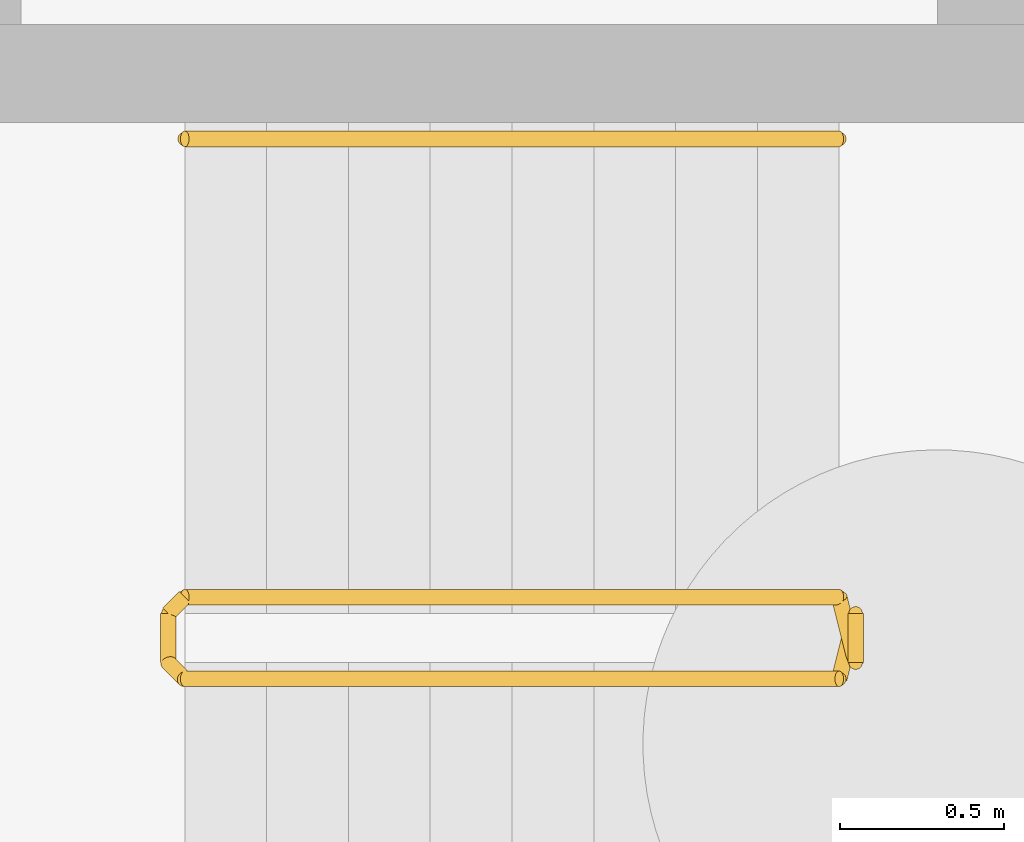
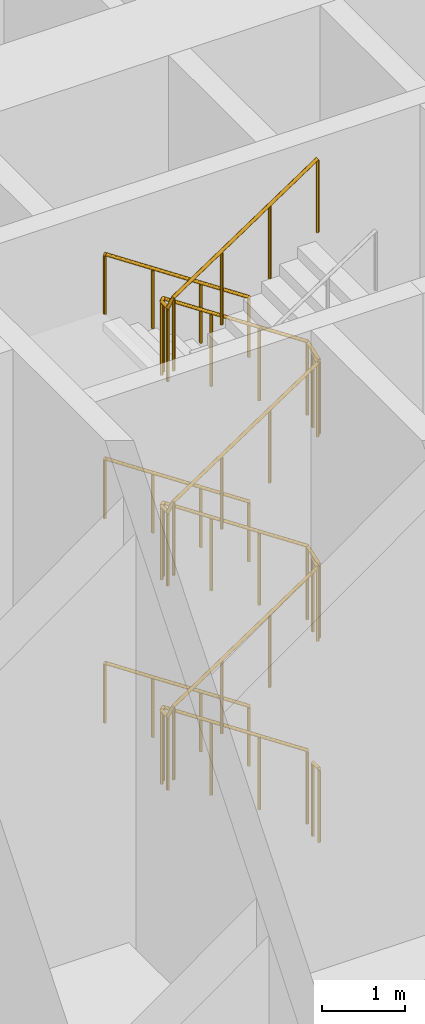
# One storey, part 19 of 20: 5 railings.
"""IFC4 building model written with IfcOpenShell, lengths in metres."""

from ifc_helpers import new_model, si_unit, direction, frame, origin, origin_2d, place, context, subcontext, project, spatial, circle, extrude, material, type_object, element, save


model = new_model("IFC4")

# Units and contexts
model_context = context("Model", 3, precision=1e-05, world=origin(), true_north=direction((0.0, 1.0)))
body_context = subcontext(model_context, "Body", "Model", "MODEL_VIEW")
ifc_project = project(units=[si_unit("LENGTHUNIT", "METRE"), si_unit("AREAUNIT", "SQUARE_METRE"), si_unit("VOLUMEUNIT", "CUBIC_METRE"), si_unit("PLANEANGLEUNIT", "RADIAN"), si_unit("MASSUNIT", "GRAM", prefix="KILO")], contexts=[model_context])

# Site, building, storey
site_placement = place(None, origin())
site = spatial("IfcSite", under=ifc_project, at=site_placement, CompositionType="ELEMENT")
building_placement = place(site_placement, origin())
building = spatial("IfcBuilding", under=site, at=building_placement, Name="Tracery Tower", CompositionType="ELEMENT")
storey_placement = place(building_placement, origin())
storey = spatial("IfcBuildingStorey", under=building, at=storey_placement, Name="L00", CompositionType="ELEMENT", Elevation=0.0)

# Railings
ifc_material_1 = material(Name="Stainless steel and laminated glass", Category="steel")
railing_type_1 = type_object("IfcRailingType", Name="Stair guard 1100", PredefinedType="GUARDRAIL", material=ifc_material_1)
railing_1_placement = place(storey_placement, frame((-4.800048828125, 4.949951171875, 0.166748046875)))
element("IfcRailing", 1, at=railing_1_placement, inside=storey, type_object=railing_type_1, Name="L00 stair ST3 guard 1", PredefinedType="GUARDRAIL", context=body_context, shape_type="SweptSolid", body=[
    extrude(circle(Radius=0.02392578125, at=origin_2d()), frame((0.0, 0.0, 1.076171875), z_axis=(-0.832065920246, 0.0, 0.554676756648), x_axis=(0.0, -1.0, 0.0)), (0.0, 0.0, 1.0), 2.403564453125),
    extrude(circle(Radius=0.02392578125, at=origin_2d()), frame((-2.0, 0.0, 2.4091796875), z_axis=(-0.707106781187, -0.707106781187, 0.0), x_axis=(0.707106781187, -0.707106781187, 0.0)), (0.0, 0.0, 1.0), 0.07080078125),
    extrude(circle(Radius=0.02392578125, at=origin_2d()), frame((-2.050048828125, -0.050048828125, 2.4091796875), z_axis=(0.0, -1.0, 0.0), x_axis=(1.0, 0.0, 0.0)), (0.0, 0.0, 1.0), 0.14990234375),
    extrude(circle(Radius=0.02392578125, at=origin_2d()), frame((-2.050048828125, -0.199951171875, 2.4091796875), z_axis=(0.27628659633, -0.27628659633, 0.920506074601), x_axis=(0.707106781187, 0.707106781187, 0.0)), (0.0, 0.0, 1.0), 0.18115234375),
    extrude(circle(Radius=0.02392578125, at=origin_2d()), frame((-2.0, -0.25, 2.576171875), z_axis=(0.832065920246, 0.0, 0.554676756648), x_axis=(0.0, 1.0, 0.0)), (0.0, 0.0, 1.0), 2.403564453125),
    extrude(circle(Radius=0.02392578125, at=origin_2d()), frame((0.0, -0.25, 3.9091796875), z_axis=(0.242814311512, 0.970072785993, 0.0), x_axis=(-0.970072785993, 0.242814311512, 0.0)), (0.0, 0.0, 1.0), 0.2060546875),
    extrude(circle(Radius=0.02392578125, at=origin_2d()), frame((0.050048828125, -0.050048828125, 3.9091796875), z_axis=(0.0, -1.0, 0.0), x_axis=(1.0, 0.0, 0.0)), (0.0, 0.0, 1.0), 0.14990234375),
    extrude(circle(Radius=0.02392578125, at=origin_2d()), frame((0.050048828125, -0.199951171875, 3.9091796875), z_axis=(-0.188775798145, 0.754182335027, 0.628945707965), x_axis=(-0.970072785993, -0.242814311512, 0.0)), (0.0, 0.0, 1.0), 0.26513671875),
    extrude(circle(Radius=0.02392578125, at=origin_2d()), frame((0.0, 0.0, 4.076171875), z_axis=(-0.832065920246, 0.0, 0.554676756648), x_axis=(0.0, -1.0, 0.0)), (0.0, 0.0, 1.0), 2.403564453125),
    extrude(circle(Radius=0.02392578125, at=origin_2d()), frame((-2.0, 0.0, 5.4091796875), z_axis=(-0.707106781187, -0.707106781187, 0.0), x_axis=(0.707106781187, -0.707106781187, 0.0)), (0.0, 0.0, 1.0), 0.07080078125),
    extrude(circle(Radius=0.02392578125, at=origin_2d()), frame((-2.050048828125, -0.050048828125, 5.4091796875), z_axis=(0.0, -1.0, 0.0), x_axis=(1.0, 0.0, 0.0)), (0.0, 0.0, 1.0), 0.14990234375),
    extrude(circle(Radius=0.02392578125, at=origin_2d()), frame((-2.050048828125, -0.199951171875, 5.4091796875), z_axis=(0.27628659633, -0.27628659633, 0.920506074601), x_axis=(0.707106781187, 0.707106781187, 0.0)), (0.0, 0.0, 1.0), 0.18115234375),
    extrude(circle(Radius=0.02392578125, at=origin_2d()), frame((-2.0, -0.25, 5.576171875), z_axis=(0.832065920246, 0.0, 0.554676756648), x_axis=(0.0, 1.0, 0.0)), (0.0, 0.0, 1.0), 2.403564453125),
    extrude(circle(Radius=0.02392578125, at=origin_2d()), frame((0.0, -0.25, 6.9091796875), z_axis=(0.242814311512, 0.970072785993, 0.0), x_axis=(-0.970072785993, 0.242814311512, 0.0)), (0.0, 0.0, 1.0), 0.2060546875),
    extrude(circle(Radius=0.02392578125, at=origin_2d()), frame((0.050048828125, -0.050048828125, 6.9091796875), z_axis=(0.0, -1.0, 0.0), x_axis=(1.0, 0.0, 0.0)), (0.0, 0.0, 1.0), 0.14990234375),
    extrude(circle(Radius=0.02392578125, at=origin_2d()), frame((0.050048828125, -0.199951171875, 6.9091796875), z_axis=(-0.188775798145, 0.754182335027, 0.628945707965), x_axis=(-0.970072785993, -0.242814311512, 0.0)), (0.0, 0.0, 1.0), 0.26513671875),
    extrude(circle(Radius=0.02392578125, at=origin_2d()), frame((0.0, 0.0, 7.076171875), z_axis=(-0.832065920246, 0.0, 0.554676756648), x_axis=(0.0, -1.0, 0.0)), (0.0, 0.0, 1.0), 2.403564453125),
    extrude(circle(Radius=0.02392578125, at=origin_2d()), frame((-2.0, 0.0, 8.4091796875), z_axis=(-0.707106781187, -0.707106781187, 0.0), x_axis=(0.707106781187, -0.707106781187, 0.0)), (0.0, 0.0, 1.0), 0.07080078125),
    extrude(circle(Radius=0.02392578125, at=origin_2d()), frame((-2.050048828125, -0.050048828125, 8.4091796875), z_axis=(0.0, -1.0, 0.0), x_axis=(1.0, 0.0, 0.0)), (0.0, 0.0, 1.0), 0.14990234375),
    extrude(circle(Radius=0.02392578125, at=origin_2d()), frame((-2.050048828125, -0.199951171875, 8.4091796875), z_axis=(0.27628659633, -0.27628659633, 0.920506074601), x_axis=(0.707106781187, 0.707106781187, 0.0)), (0.0, 0.0, 1.0), 0.18115234375),
    extrude(circle(Radius=0.02392578125, at=origin_2d()), frame((-2.0, -0.25, 8.576171875), z_axis=(0.832065920246, 0.0, 0.554676756648), x_axis=(0.0, 1.0, 0.0)), (0.0, 0.0, 1.0), 2.403564453125),
    extrude(circle(Radius=0.02099609375, at=origin_2d()), origin(), (0.0, 0.0, 1.0), 1.052001953125),
    extrude(circle(Radius=0.02099609375, at=origin_2d()), frame((-0.666748046875, 0.0, 0.4443359375)), (0.0, 0.0, 1.0), 1.052001953125),
    extrude(circle(Radius=0.02099609375, at=origin_2d()), frame((-1.333251953125, 0.0, 0.888916015625)), (0.0, 0.0, 1.0), 1.052001953125),
    extrude(circle(Radius=0.02099609375, at=origin_2d()), frame((-2.0, 0.0, 1.333251953125)), (0.0, 0.0, 1.0), 1.052001953125),
    extrude(circle(Radius=0.02099609375, at=origin_2d()), frame((-2.050048828125, -0.050048828125, 1.333251953125)), (0.0, 0.0, 1.0), 1.052001953125),
    extrude(circle(Radius=0.02099609375, at=origin_2d()), frame((-2.050048828125, -0.199951171875, 1.333251953125)), (0.0, 0.0, 1.0), 1.052001953125),
    extrude(circle(Radius=0.02099609375, at=origin_2d()), frame((-2.0, -0.25, 1.5)), (0.0, 0.0, 1.0), 1.052001953125),
    extrude(circle(Radius=0.02099609375, at=origin_2d()), frame((-1.333251953125, -0.25, 1.9443359375)), (0.0, 0.0, 1.0), 1.052001953125),
    extrude(circle(Radius=0.02099609375, at=origin_2d()), frame((-0.666748046875, -0.25, 2.388916015625)), (0.0, 0.0, 1.0), 1.052001953125),
    extrude(circle(Radius=0.02099609375, at=origin_2d()), frame((0.0, -0.25, 2.833251953125)), (0.0, 0.0, 1.0), 1.052001953125),
    extrude(circle(Radius=0.02099609375, at=origin_2d()), frame((0.050048828125, -0.050048828125, 2.833251953125)), (0.0, 0.0, 1.0), 1.052001953125),
    extrude(circle(Radius=0.02099609375, at=origin_2d()), frame((0.050048828125, -0.199951171875, 2.833251953125)), (0.0, 0.0, 1.0), 1.052001953125),
    extrude(circle(Radius=0.02099609375, at=origin_2d()), frame((0.0, 0.0, 3.0)), (0.0, 0.0, 1.0), 1.052001953125),
    extrude(circle(Radius=0.02099609375, at=origin_2d()), frame((-0.666748046875, 0.0, 3.4443359375)), (0.0, 0.0, 1.0), 1.052001953125),
    extrude(circle(Radius=0.02099609375, at=origin_2d()), frame((-1.333251953125, 0.0, 3.888916015625)), (0.0, 0.0, 1.0), 1.052001953125),
    extrude(circle(Radius=0.02099609375, at=origin_2d()), frame((-2.0, 0.0, 4.333251953125)), (0.0, 0.0, 1.0), 1.052001953125),
    extrude(circle(Radius=0.02099609375, at=origin_2d()), frame((-2.050048828125, -0.050048828125, 4.333251953125)), (0.0, 0.0, 1.0), 1.052001953125),
    extrude(circle(Radius=0.02099609375, at=origin_2d()), frame((-2.050048828125, -0.199951171875, 4.333251953125)), (0.0, 0.0, 1.0), 1.052001953125),
    extrude(circle(Radius=0.02099609375, at=origin_2d()), frame((-2.0, -0.25, 4.5)), (0.0, 0.0, 1.0), 1.052001953125),
    extrude(circle(Radius=0.02099609375, at=origin_2d()), frame((-1.333251953125, -0.25, 4.9443359375)), (0.0, 0.0, 1.0), 1.052001953125),
    extrude(circle(Radius=0.02099609375, at=origin_2d()), frame((-0.666748046875, -0.25, 5.388916015625)), (0.0, 0.0, 1.0), 1.052001953125),
    extrude(circle(Radius=0.02099609375, at=origin_2d()), frame((0.0, -0.25, 5.833251953125)), (0.0, 0.0, 1.0), 1.052001953125),
    extrude(circle(Radius=0.02099609375, at=origin_2d()), frame((0.050048828125, -0.050048828125, 5.833251953125)), (0.0, 0.0, 1.0), 1.052001953125),
    extrude(circle(Radius=0.02099609375, at=origin_2d()), frame((0.050048828125, -0.199951171875, 5.833251953125)), (0.0, 0.0, 1.0), 1.052001953125),
    extrude(circle(Radius=0.02099609375, at=origin_2d()), frame((0.0, 0.0, 6.0)), (0.0, 0.0, 1.0), 1.052001953125),
    extrude(circle(Radius=0.02099609375, at=origin_2d()), frame((-0.666748046875, 0.0, 6.4443359375)), (0.0, 0.0, 1.0), 1.052001953125),
    extrude(circle(Radius=0.02099609375, at=origin_2d()), frame((-1.333251953125, 0.0, 6.888916015625)), (0.0, 0.0, 1.0), 1.052001953125),
    extrude(circle(Radius=0.02099609375, at=origin_2d()), frame((-2.0, 0.0, 7.333251953125)), (0.0, 0.0, 1.0), 1.052001953125),
    extrude(circle(Radius=0.02099609375, at=origin_2d()), frame((-2.050048828125, -0.050048828125, 7.333251953125)), (0.0, 0.0, 1.0), 1.052001953125),
    extrude(circle(Radius=0.02099609375, at=origin_2d()), frame((-2.050048828125, -0.199951171875, 7.333251953125)), (0.0, 0.0, 1.0), 1.052001953125),
    extrude(circle(Radius=0.02099609375, at=origin_2d()), frame((-2.0, -0.25, 7.5)), (0.0, 0.0, 1.0), 1.052001953125),
    extrude(circle(Radius=0.02099609375, at=origin_2d()), frame((-1.333251953125, -0.25, 7.9443359375)), (0.0, 0.0, 1.0), 1.052001953125),
    extrude(circle(Radius=0.02099609375, at=origin_2d()), frame((-0.666748046875, -0.25, 8.388916015625)), (0.0, 0.0, 1.0), 1.052001953125),
    extrude(circle(Radius=0.02099609375, at=origin_2d()), frame((0.0, -0.25, 8.833251953125)), (0.0, 0.0, 1.0), 1.052001953125),
])
railing_2_placement = place(storey_placement, frame((-4.75, 4.89990234375, 0.0)))
element("IfcRailing", 2, at=railing_2_placement, inside=storey, type_object=railing_type_1, Name="L00 stair ST3 guard 2", PredefinedType="GUARDRAIL", context=body_context, shape_type="SweptSolid", body=[
    extrude(circle(Radius=0.02392578125, at=origin_2d()), frame((0.0, 0.0, 1.076171875), z_axis=(0.0, -1.0, 0.0), x_axis=(1.0, 0.0, 0.0)), (0.0, 0.0, 1.0), 0.14990234375),
    extrude(circle(Radius=0.02099609375, at=origin_2d()), origin(), (0.0, 0.0, 1.0), 1.052001953125),
    extrude(circle(Radius=0.02099609375, at=origin_2d()), frame((0.0, -0.14990234375, 0.0)), (0.0, 0.0, 1.0), 1.052001953125),
])
ifc_material_2 = material(Name="Stainless steel and laminated glass", Category="steel")
railing_type_2 = type_object("IfcRailingType", Name="Stair handrail 900", PredefinedType="HANDRAIL", material=ifc_material_2)
for number, where, name in (
    (3, (-4.800048828125, 6.35009765625, 0.166748046875), "L00 stair ST3 handrail 1"),
    (4, (-4.800048828125, 6.35009765625, 3.166748046875), "L00 stair ST3 handrail 3"),
    (5, (-4.800048828125, 6.35009765625, 6.166748046875), "L00 stair ST3 handrail 5"),
):
    element("IfcRailing", number, at=place(storey_placement, frame(where)), inside=storey, type_object=railing_type_2, Name=name, PredefinedType="HANDRAIL", context=body_context, shape_type="SweptSolid", body=[
        extrude(circle(Radius=0.02392578125, at=origin_2d()), frame((0.0, 0.0, 0.8759765625), z_axis=(-0.832065920246, 0.0, 0.554676756648), x_axis=(0.0, -1.0, 0.0)), (0.0, 0.0, 1.0), 2.403564453125),
        extrude(circle(Radius=0.02099609375, at=origin_2d()), origin(), (0.0, 0.0, 1.0), 0.851806640625),
        extrude(circle(Radius=0.02099609375, at=origin_2d()), frame((-0.666748046875, 0.0, 0.4443359375)), (0.0, 0.0, 1.0), 0.851806640625),
        extrude(circle(Radius=0.02099609375, at=origin_2d()), frame((-1.333251953125, 0.0, 0.888916015625)), (0.0, 0.0, 1.0), 0.851806640625),
        extrude(circle(Radius=0.02099609375, at=origin_2d()), frame((-2.0, 0.0, 1.333251953125)), (0.0, 0.0, 1.0), 0.851806640625),
    ])

save(model, "model.ifc")
